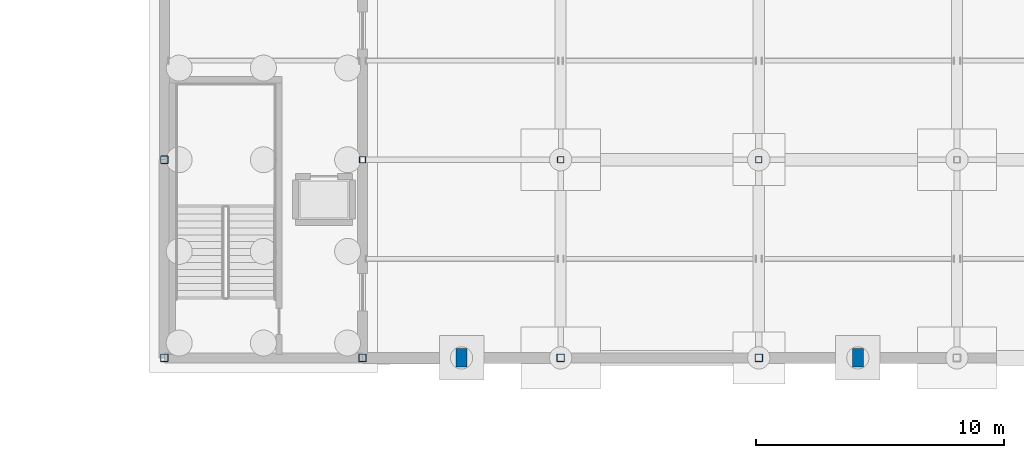
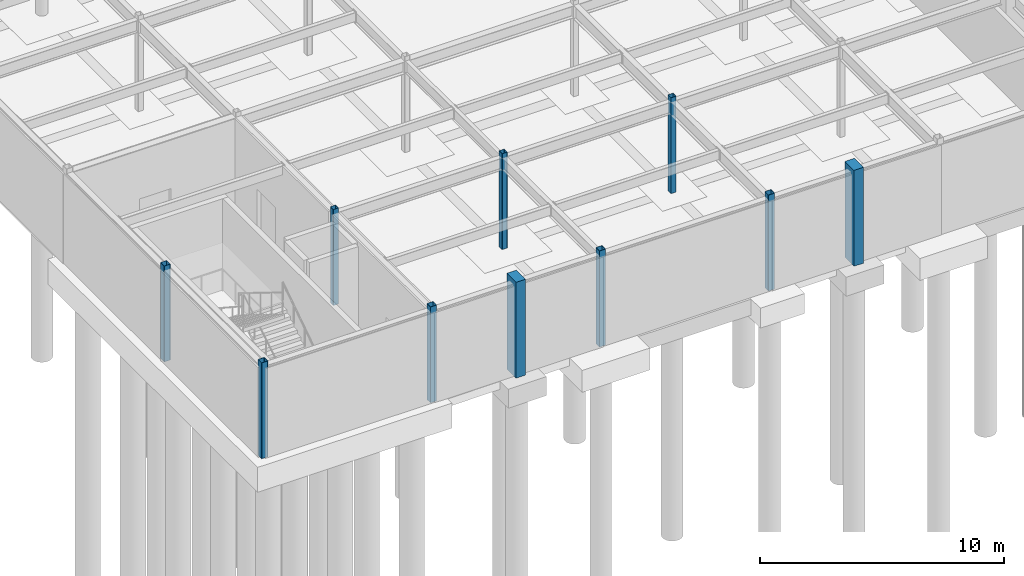
# One storey, part 13 of 105: 10 columns.
"""IFC4 building model written with IfcOpenShell, lengths in metres."""

from ifc_helpers import new_model, si_unit, direction, frame, origin, origin_2d, place, context, subcontext, project, spatial, rectangle, hollow_rectangle, extrude, material, material_profile, profile_set, type_object, element, save


model = new_model("IFC4")

# Units and contexts
model_context = context("Model", 3, precision=1e-05, world=origin(), true_north=direction((0.0, 1.0)))
body_context = subcontext(model_context, "Body", "Model", "MODEL_VIEW")
ifc_project = project(units=[si_unit("LENGTHUNIT", "METRE"), si_unit("AREAUNIT", "SQUARE_METRE"), si_unit("VOLUMEUNIT", "CUBIC_METRE"), si_unit("PLANEANGLEUNIT", "RADIAN"), si_unit("MASSUNIT", "GRAM", prefix="KILO")], contexts=[model_context])

# Site, building, storey
site_placement = place(None, origin())
site = spatial("IfcSite", under=ifc_project, at=site_placement, CompositionType="ELEMENT")
building_placement = place(site_placement, origin())
building = spatial("IfcBuilding", under=site, at=building_placement, Name="Solmirada Galleria", CompositionType="ELEMENT")
storey_placement = place(building_placement, frame((0.0, 0.0, -4.800048828125)))
storey = spatial("IfcBuildingStorey", under=building, at=storey_placement, Name="B1", CompositionType="ELEMENT", Elevation=-4.800048828125)

# Columns
ifc_material_1 = material(Name="Steel S355 / ASTM A500 Grade C", Category="steel")
ifc_material_profile_1 = material_profile(ifc_material_1, hollow_rectangle(XDim=0.25390625, YDim=0.25390625, WallThickness=0.0087890625, InnerFilletRadius=0.0087890625, OuterFilletRadius=0.017822265625, at=origin_2d()), Name="HSS10X10X3/8")
ifc_profile_set_1 = profile_set([ifc_material_profile_1], Name="Steel S355 / ASTM A500 Grade C")
column_type_1 = type_object("IfcColumnType", Name="COL-HSS10", PredefinedType="COLUMN", material=ifc_profile_set_1)
for number, where, z_axis, x_axis, name in (
    (1, (48.0, 8.0, 0.0), (0.0, 0.0, 1.0), (1.0, 0.0, 0.0), "Structural column B1-0083"),
    (2, (56.0, 8.0, 0.0), (0.0, 0.0, 1.0), (1.0, 0.0, 0.0), "Structural column B1-0150"),
    (3, (64.0, 8.0, 0.0), (0.0, 0.0, 1.0), (1.0, 0.0, 0.0), "Structural column B1-0217"),
):
    element("IfcColumn", number, at=place(storey_placement, frame(where, z_axis=z_axis, x_axis=x_axis)), inside=storey, type_object=column_type_1, Name=name, PredefinedType="COLUMN", context=body_context, shape_type="SweptSolid", body=[
        extrude(hollow_rectangle(XDim=0.25390625, YDim=0.25390625, WallThickness=0.0087890625, InnerFilletRadius=0.0087890625, OuterFilletRadius=0.017822265625, at=origin_2d()), origin(), (0.0, 0.0, 1.0), 4.800048828125),
    ])
ifc_material_profile_2 = material_profile(ifc_material_1, hollow_rectangle(XDim=0.304931640625, YDim=0.304931640625, WallThickness=0.01171875, InnerFilletRadius=0.01171875, OuterFilletRadius=0.023681640625, at=origin_2d()), Name="HSS12X12X1/2")
ifc_profile_set_2 = profile_set([ifc_material_profile_2], Name="Steel S355 / ASTM A500 Grade C")
column_type_2 = type_object("IfcColumnType", Name="COL-HSS12", PredefinedType="COLUMN", material=ifc_profile_set_2)
for number, where, z_axis, x_axis, name in (
    (4, (40.0, 0.0, 0.0), (0.0, 0.0, 1.0), (1.0, 0.0, 0.0), "Structural column B1-0017"),
    (5, (40.0, 8.0, 0.0), (0.0, 0.0, 1.0), (1.0, 0.0, 0.0), "Structural column B1-0020"),
    (6, (48.0, 0.0, 0.0), (0.0, 0.0, 1.0), (1.0, 0.0, 0.0), "Structural column B1-0080"),
    (7, (56.0, 0.0, 0.0), (0.0, 0.0, 1.0), (1.0, 0.0, 0.0), "Structural column B1-0147"),
    (8, (64.0, 0.0, 0.0), (0.0, 0.0, 1.0), (1.0, 0.0, 0.0), "Structural column B1-0214"),
):
    element("IfcColumn", number, at=place(storey_placement, frame(where, z_axis=z_axis, x_axis=x_axis)), inside=storey, type_object=column_type_2, Name=name, PredefinedType="COLUMN", context=body_context, shape_type="SweptSolid", body=[
        extrude(hollow_rectangle(XDim=0.304931640625, YDim=0.304931640625, WallThickness=0.01171875, InnerFilletRadius=0.01171875, OuterFilletRadius=0.023681640625, at=origin_2d()), origin(), (0.0, 0.0, 1.0), 4.800048828125),
    ])
ifc_material_2 = material(Name="Precast concrete C40/50", Category="concrete")
ifc_material_profile_3 = material_profile(ifc_material_2, rectangle(XDim=0.449951171875, YDim=0.75, at=origin_2d()), Name="RC750X450")
ifc_profile_set_3 = profile_set([ifc_material_profile_3], Name="Precast concrete C40/50")
column_type_3 = type_object("IfcColumnType", Name="PIL-RC750", PredefinedType="PILASTER", material=ifc_profile_set_3)
for number, where, z_axis, x_axis, name in (
    (9, (52.0, 0.0, 0.0), (0.0, 0.0, 1.0), (1.0, 0.0, 0.0), "Avenue pilaster B1-016"),
    (10, (68.0, 0.0, 0.0), (0.0, 0.0, 1.0), (1.0, 0.0, 0.0), "Avenue pilaster B1-019"),
):
    element("IfcColumn", number, at=place(storey_placement, frame(where, z_axis=z_axis, x_axis=x_axis)), inside=storey, type_object=column_type_3, Name=name, PredefinedType="PILASTER", context=body_context, shape_type="SweptSolid", body=[
        extrude(rectangle(XDim=0.449951171875, YDim=0.75, at=origin_2d()), origin(), (0.0, 0.0, 1.0), 4.800048828125),
    ])

save(model, "model.ifc")
